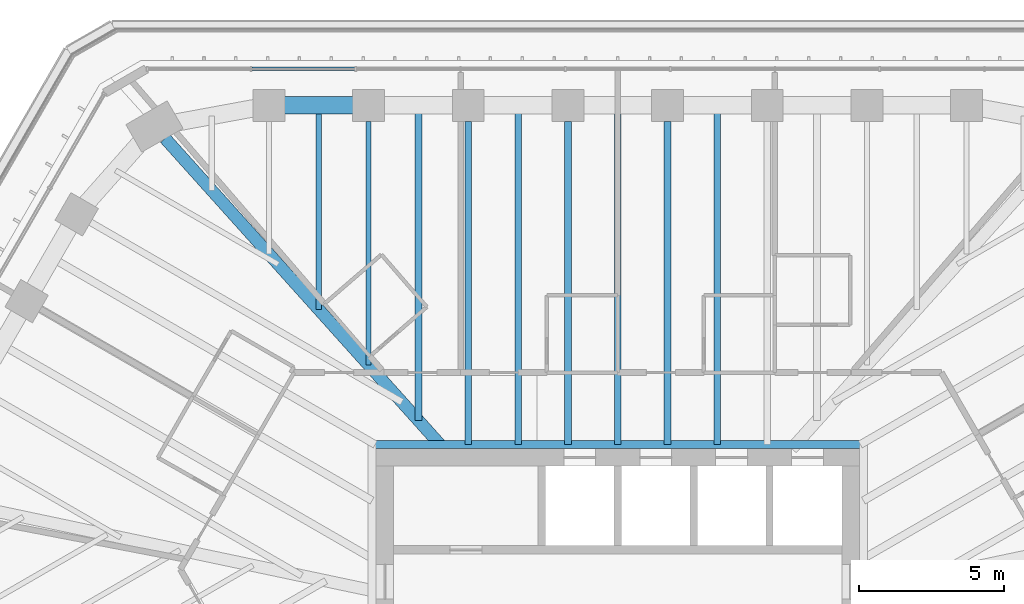
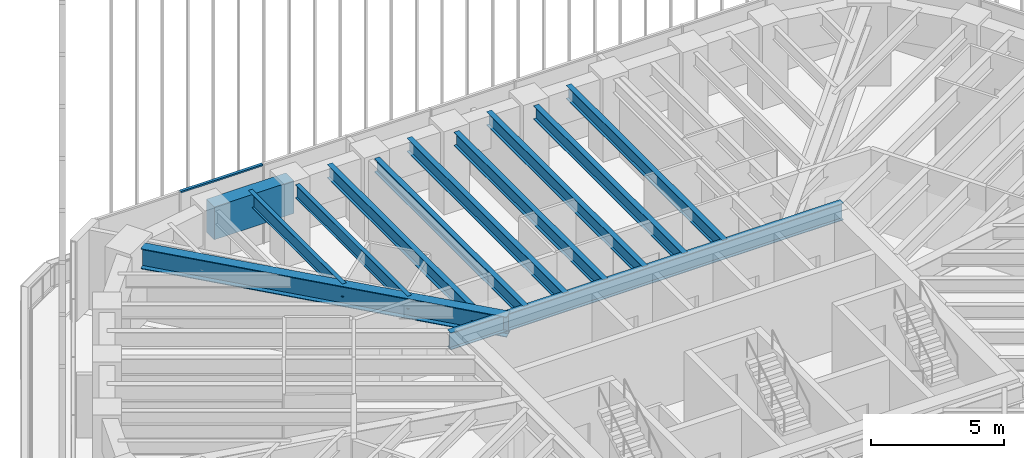
# One storey, part 70 of 127: 12 beams, 1 member, 1 element without a shape of its own.
"""IFC4 building model written with IfcOpenShell, lengths in metres."""

from ifc_helpers import new_model, si_unit, direction, frame, origin, origin_2d, place, context, subcontext, project, spatial, rectangle, i_section, extrude, material, material_profile, profile_set, type_object, element, aggregate, save


model = new_model("IFC4")

# Units and contexts
model_context = context("Model", 3, precision=1e-05, world=origin(), true_north=direction((0.0, 1.0)))
body_context = subcontext(model_context, "Body", "Model", "MODEL_VIEW")
ifc_project = project(units=[si_unit("LENGTHUNIT", "METRE"), si_unit("AREAUNIT", "SQUARE_METRE"), si_unit("VOLUMEUNIT", "CUBIC_METRE"), si_unit("PLANEANGLEUNIT", "RADIAN"), si_unit("MASSUNIT", "GRAM", prefix="KILO")], contexts=[model_context])

# Site, building, storey
site_placement = place(None, origin())
site = spatial("IfcSite", under=ifc_project, at=site_placement, CompositionType="ELEMENT")
building_placement = place(site_placement, origin())
building = spatial("IfcBuilding", under=site, at=building_placement, Name="Sandreach Pilgrim Tower", CompositionType="ELEMENT")
storey_placement = place(building_placement, frame((0.0, 0.0, 257.0)))
storey = spatial("IfcBuildingStorey", under=building, at=storey_placement, Name="L64", CompositionType="ELEMENT", Elevation=257.0)

# Curtain wall, member
ifc_material_1 = material(Name="Aluminium framed curtain wall", Category="aluminium")
curtain_wall_type = type_object("IfcCurtainWallType", Name="Suite tower curtain wall", PredefinedType="NOTDEFINED", material=ifc_material_1)
curtain_wall_placement = place(storey_placement, origin())
curtain_wall = element("IfcCurtainWall", 1, at=curtain_wall_placement, inside=storey, type_object=curtain_wall_type, Name="CW-4 L64 N", PredefinedType="NOTDEFINED")
ifc_material_2 = material(Name="Aluminium extrusion", Category="aluminium")
ifc_material_profile_1 = material_profile(ifc_material_2, rectangle(XDim=0.1201171875, YDim=0.070068359375, at=origin_2d()), Name="CW-4T 120X70")
ifc_profile_set_1 = profile_set([ifc_material_profile_1], Name="Aluminium extrusion")
member_type = type_object("IfcMemberType", Name="CW-4 transom", PredefinedType="USERDEFINED", material=ifc_profile_set_1)
member_placement = place(storey_placement, frame((-12.646484375, 19.826416015625, 3.60498046875), z_axis=(1.0, 0.0, 0.0), x_axis=(0.0, 1.0, 0.0)))
member = element("IfcMember", 2, at=member_placement, type_object=member_type, Name="CW-4 head transom 2", ObjectType="TRANSOM", PredefinedType="USERDEFINED", context=body_context, shape_type="SweptSolid", body=[
    extrude(rectangle(XDim=0.1201171875, YDim=0.070068359375, at=origin_2d()), origin(), (0.0, 0.0, 1.0), 3.561767578125),
])
aggregate(curtain_wall, [member])

# Beams
ifc_material_3 = material(Name="Steel ASTM A992 Grade 50", Category="steel")
ifc_material_profile_2 = material_profile(ifc_material_3, i_section(OverallWidth=0.2666015625, OverallDepth=0.77978515625, WebThickness=0.0166015625, FlangeThickness=0.030029296875, at=origin_2d()), Name="W30X148")
ifc_profile_set_2 = profile_set([ifc_material_profile_2], Name="Steel ASTM A992 Grade 50")
beam_type_1 = type_object("IfcBeamType", Name="Core edge beam W30X148", PredefinedType="BEAM", material=ifc_profile_set_2)
beam_1_placement = place(storey_placement, frame((-8.493408203125, 6.84326171875, 3.25), z_axis=(1.0, 0.0, 0.0), x_axis=(0.0, 1.0, 0.0)))
element("IfcBeam", 3, at=beam_1_placement, inside=storey, type_object=beam_type_1, Name="BM L64 CEN", PredefinedType="BEAM", context=body_context, shape_type="SweptSolid", body=[
    extrude(i_section(OverallWidth=0.2666015625, OverallDepth=0.77978515625, WebThickness=0.0166015625, FlangeThickness=0.030029296875, at=origin_2d()), origin(), (0.0, 0.0, 1.0), 16.98681640625),
])
ifc_material_4 = material(Name="Steel ASTM A992 Grade 50", Category="steel")
ifc_material_profile_3 = material_profile(ifc_material_4, i_section(OverallWidth=0.419189453125, OverallDepth=0.927001953125, WebThickness=0.019287109375, FlangeThickness=0.031982421875, at=origin_2d()), Name="W36X231")
ifc_profile_set_3 = profile_set([ifc_material_profile_3], Name="Steel ASTM A992 Grade 50")
beam_type_2 = type_object("IfcBeamType", Name="Corner girder W36X231", PredefinedType="BEAM", material=ifc_profile_set_3)
beam_2_placement = place(storey_placement, frame((-15.649169921875, 17.427978515625, 3.176513671875), z_axis=(0.668114851597, -0.74405815974, 0.0), x_axis=(0.74405815974, 0.668114851597, 0.0)))
element("IfcBeam", 4, at=beam_2_placement, inside=storey, type_object=beam_type_2, Name="BM L64 CG39", PredefinedType="BEAM", context=body_context, shape_type="SweptSolid", body=[
    extrude(i_section(OverallWidth=0.419189453125, OverallDepth=0.927001953125, WebThickness=0.019287109375, FlangeThickness=0.031982421875, at=origin_2d()), origin(), (0.0, 0.0, 1.0), 14.418212890625),
])
ifc_material_5 = material(Name="Steel ASTM A992 Grade 50", Category="steel")
ifc_material_profile_4 = material_profile(ifc_material_5, i_section(OverallWidth=0.1787109375, OverallDepth=0.60205078125, WebThickness=0.010986328125, FlangeThickness=0.014892578125, at=origin_2d()), Name="W24X62")
ifc_profile_set_4 = profile_set([ifc_material_profile_4], Name="Steel ASTM A992 Grade 50")
beam_type_3 = type_object("IfcBeamType", Name="Floor beam W24X62", PredefinedType="BEAM", material=ifc_profile_set_4)
beam_3_placement = place(storey_placement, frame((-8.612548828125, 18.016357421875, 3.339111328125), z_axis=(0.0, -1.0, 0.0), x_axis=(1.0, 0.0, 0.0)))
element("IfcBeam", 5, at=beam_3_placement, inside=storey, type_object=beam_type_3, Name="BM L64 F02", PredefinedType="BEAM", context=body_context, shape_type="SweptSolid", body=[
    extrude(i_section(OverallWidth=0.1787109375, OverallDepth=0.60205078125, WebThickness=0.010986328125, FlangeThickness=0.014892578125, at=origin_2d()), origin(), (0.0, 0.0, 1.0), 8.4248046875),
])
beam_4_placement = place(storey_placement, frame((-10.3349609375, 18.56640625, 3.339111328125), z_axis=(0.0, -1.0, 0.0), x_axis=(1.0, 0.0, 0.0)))
element("IfcBeam", 6, at=beam_4_placement, inside=storey, type_object=beam_type_3, Name="BM L64 FM01", PredefinedType="BEAM", context=body_context, shape_type="SweptSolid", body=[
    extrude(i_section(OverallWidth=0.1787109375, OverallDepth=0.60205078125, WebThickness=0.010986328125, FlangeThickness=0.014892578125, at=origin_2d()), origin(), (0.0, 0.0, 1.0), 7.056640625),
])
ifc_material_6 = material(Name="Steel ASTM A992 Grade 50", Category="steel")
ifc_material_profile_5 = material_profile(ifc_material_6, i_section(OverallWidth=0.23046875, OverallDepth=0.6171875, WebThickness=0.01318359375, FlangeThickness=0.022216796875, at=origin_2d()), Name="W24X94")
ifc_profile_set_5 = profile_set([ifc_material_profile_5], Name="Steel ASTM A992 Grade 50")
beam_type_4 = type_object("IfcBeamType", Name="Floor beam W24X94", PredefinedType="BEAM", material=ifc_profile_set_5)
for number, where, z_axis, x_axis, name in (
    (7, (-5.16748046875, 18.016357421875, 3.331298828125), (0.0, -1.0, 0.0), (1.0, 0.0, 0.0), "BM L64 F03"),
    (8, (-1.722412109375, 18.016357421875, 3.331298828125), (0.0, -1.0, 0.0), (1.0, 0.0, 0.0), "BM L64 F04"),
    (9, (1.722412109375, 18.016357421875, 3.331298828125), (0.0, -1.0, 0.0), (1.0, 0.0, 0.0), "BM L64 F05"),
):
    element("IfcBeam", number, at=place(storey_placement, frame(where, z_axis=z_axis, x_axis=x_axis)), inside=storey, type_object=beam_type_4, Name=name, PredefinedType="BEAM", context=body_context, shape_type="SweptSolid", body=[
        extrude(i_section(OverallWidth=0.23046875, OverallDepth=0.6171875, WebThickness=0.01318359375, FlangeThickness=0.022216796875, at=origin_2d()), origin(), (0.0, 0.0, 1.0), 11.173095703125),
    ])
beam_5_placement = place(storey_placement, frame((-6.89013671875, 18.56640625, 3.331298828125), z_axis=(0.0, -1.0, 0.0), x_axis=(1.0, 0.0, 0.0)))
element("IfcBeam", 10, at=beam_5_placement, inside=storey, type_object=beam_type_4, Name="BM L64 FM02", PredefinedType="BEAM", context=body_context, shape_type="SweptSolid", body=[
    extrude(i_section(OverallWidth=0.23046875, OverallDepth=0.6171875, WebThickness=0.01318359375, FlangeThickness=0.022216796875, at=origin_2d()), origin(), (0.0, 0.0, 1.0), 10.893310546875),
])
for number, where, z_axis, x_axis, name in (
    (11, (-3.445068359375, 18.56640625, 3.331298828125), (0.0, -1.0, 0.0), (1.0, 0.0, 0.0), "BM L64 FM03"),
    (12, (0.0, 18.56640625, 3.331298828125), (0.0, -1.0, 0.0), (1.0, 0.0, 0.0), "BM L64 FM04"),
    (13, (3.445068359375, 18.56640625, 3.331298828125), (0.0, -1.0, 0.0), (1.0, 0.0, 0.0), "BM L64 FM05"),
):
    element("IfcBeam", number, at=place(storey_placement, frame(where, z_axis=z_axis, x_axis=x_axis)), inside=storey, type_object=beam_type_4, Name=name, PredefinedType="BEAM", context=body_context, shape_type="SweptSolid", body=[
        extrude(i_section(OverallWidth=0.23046875, OverallDepth=0.6171875, WebThickness=0.01318359375, FlangeThickness=0.022216796875, at=origin_2d()), origin(), (0.0, 0.0, 1.0), 11.72314453125),
    ])
ifc_material_7 = material(Name="Concrete 10000 psi", Category="concrete")
ifc_material_profile_6 = material_profile(ifc_material_7, rectangle(XDim=0.60009765625, YDim=1.5, at=origin_2d()), Name="RC600X1500")
ifc_profile_set_6 = profile_set([ifc_material_profile_6], Name="Concrete 10000 psi")
beam_type_5 = type_object("IfcBeamType", Name="Spandrel beam RC600X1500", PredefinedType="SPANDREL", material=ifc_profile_set_6)
beam_6_placement = place(storey_placement, frame((-12.0576171875, 18.56640625, 2.889892578125), z_axis=(1.0, 0.0, 0.0), x_axis=(0.0, 1.0, 0.0)))
element("IfcBeam", 14, at=beam_6_placement, inside=storey, type_object=beam_type_5, Name="BM L64 SP01", PredefinedType="SPANDREL", context=body_context, shape_type="SweptSolid", body=[
    extrude(rectangle(XDim=0.60009765625, YDim=1.5, at=origin_2d()), origin(), (0.0, 0.0, 1.0), 3.445068359375),
])

save(model, "model.ifc")
